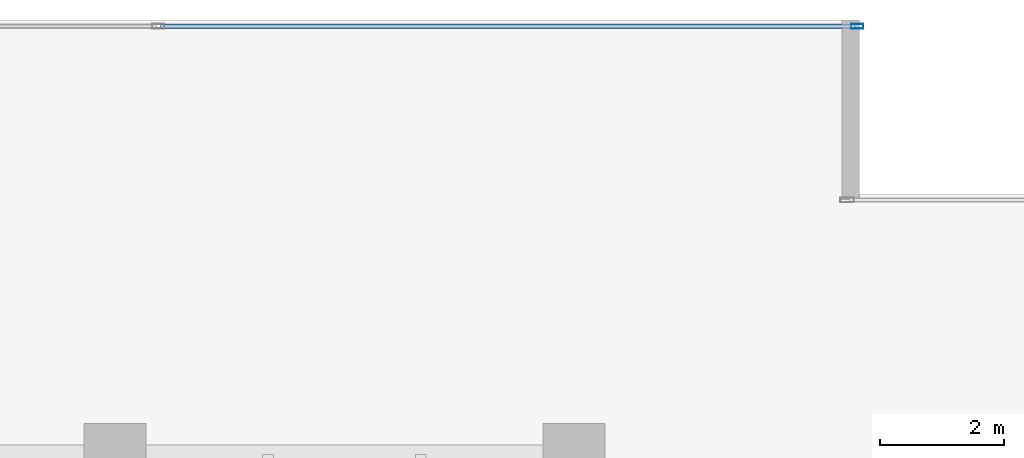
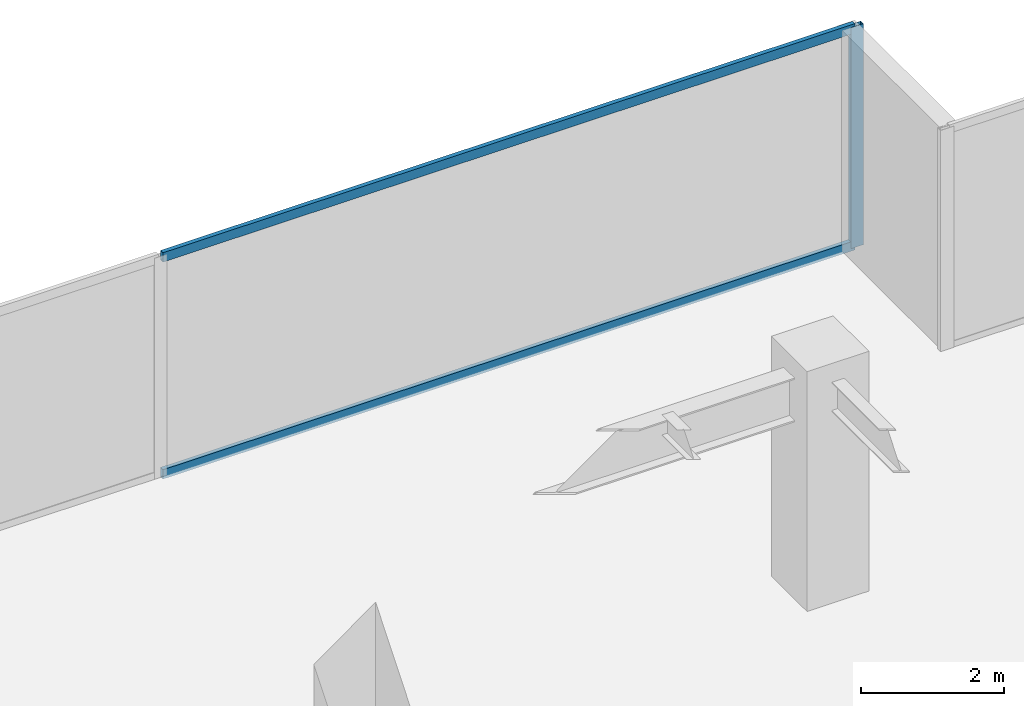
# One storey, part 27 of 35: 3 members, 1 element without a shape of its own.
"""IFC4 building model written with IfcOpenShell, lengths in metres."""

from ifc_helpers import new_model, si_unit, direction, frame, origin, origin_2d, place, context, subcontext, project, spatial, hollow_rectangle, extrude, source, transform, mapped, material, layer, layer_set, material_profile, profile_set, type_object, type_shapes, element, aggregate, save


model = new_model("IFC4")

# Units and contexts
model_context = context("Model", 3, precision=1e-05, world=origin(), true_north=direction((0.0, 1.0)))
body_context = subcontext(model_context, "Body", "Model", "MODEL_VIEW")
ifc_project = project(units=[si_unit("LENGTHUNIT", "METRE"), si_unit("AREAUNIT", "SQUARE_METRE"), si_unit("VOLUMEUNIT", "CUBIC_METRE"), si_unit("PLANEANGLEUNIT", "RADIAN"), si_unit("MASSUNIT", "GRAM", prefix="KILO")], contexts=[model_context])

# Site, building, storey
site_placement = place(None, origin())
site = spatial("IfcSite", under=ifc_project, at=site_placement, CompositionType="ELEMENT")
building_placement = place(site_placement, origin())
building = spatial("IfcBuilding", under=site, at=building_placement, Name="Haelvirn Gate Laboratories", CompositionType="ELEMENT")
storey_placement = place(building_placement, frame((0.0, 0.0, 90.800048828125)))
storey = spatial("IfcBuildingStorey", under=building, at=storey_placement, Name="L22", CompositionType="ELEMENT", Elevation=90.800048828125)

# Curtain wall, members
ifc_material_1 = material(Name="Anodised bronze unitised aluminium & triple low-E glass", Category="aluminium")
ifc_layer = layer(ifc_material_1, 0.18408203125, Name="CW-SYS-2")
ifc_layer_set = layer_set([ifc_layer], Name="Anodised bronze unitised aluminium & triple low-E glass")
curtain_wall_type = type_object("IfcCurtainWallType", Name="CW-SYS-2", PredefinedType="NOTDEFINED", material=ifc_layer_set)
curtain_wall_placement = place(storey_placement, origin())
curtain_wall = element("IfcCurtainWall", 1, at=curtain_wall_placement, inside=storey, type_object=curtain_wall_type, Name="L22 Unitised Curtain Wall CW-L22-P0-E10-1", PredefinedType="NOTDEFINED")
ifc_material_2 = material(Name="Extruded aluminium 6063-T6 (anodised bronze)", Category="aluminium")
ifc_material_profile_1 = material_profile(ifc_material_2, hollow_rectangle(XDim=0.074951171875, YDim=0.199951171875, WallThickness=0.0048828125, at=origin_2d()), Name="CWM-200x75x5")
ifc_profile_set_1 = profile_set([ifc_material_profile_1], Name="Extruded aluminium 6063-T6 (anodised bronze)")
member_type_1 = type_object("IfcMemberType", Name="CWM-T200", PredefinedType="MULLION", material=ifc_profile_set_1)
shared_shape_1 = source(origin(), body_context, "Body", "SweptSolid", [
    extrude(hollow_rectangle(XDim=0.074951171875, YDim=0.199951171875, WallThickness=0.0048828125, at=origin_2d()), origin(), (0.0, 0.0, 1.0), 3.780029296875),
])
type_shapes(member_type_1, [shared_shape_1])
member_1_placement = place(storey_placement, frame((71.96240234375, 48.5, 0.0), z_axis=(0.0, 0.0, 1.0), x_axis=(0.0, 1.0, 0.0)))
member_1 = element("IfcMember", 2, at=member_1_placement, type_object=member_type_1, Name="CW2 mullion 3", PredefinedType="MULLION", context=body_context, shape_type="MappedRepresentation", body=[
    mapped(shared_shape_1, transform((0.0, 0.0, 0.0), scale=1.0)),
])
ifc_material_profile_2 = material_profile(ifc_material_2, hollow_rectangle(XDim=0.070068359375, YDim=0.159912109375, WallThickness=0.0048828125, at=origin_2d()), Name="CWT-160x70x5")
ifc_profile_set_2 = profile_set([ifc_material_profile_2], Name="Extruded aluminium 6063-T6 (anodised bronze)")
member_type_2 = type_object("IfcMemberType", Name="CWT-T160", PredefinedType="USERDEFINED", material=ifc_profile_set_2)
shared_shape_2 = source(origin(), body_context, "Body", "SweptSolid", [
    extrude(hollow_rectangle(XDim=0.070068359375, YDim=0.159912109375, WallThickness=0.0048828125, at=origin_2d()), origin(), (0.0, 0.0, 1.0), 11.1875),
])
type_shapes(member_type_2, [shared_shape_2])
member_2_placement = place(storey_placement, frame((60.737548828125, 48.5, 0.034912109375), z_axis=(1.0, 0.0, 0.0), x_axis=(0.0, 1.0, 0.0)))
member_2 = element("IfcMember", 3, at=member_2_placement, type_object=member_type_2, Name="CW2 transom 2.1", ObjectType="TRANSOM", PredefinedType="USERDEFINED", context=body_context, shape_type="MappedRepresentation", body=[
    mapped(shared_shape_2, transform((0.0, 0.0, 0.0), scale=1.0)),
])
member_3_placement = place(storey_placement, frame((60.737548828125, 48.5, 3.744873046875), z_axis=(1.0, 0.0, 0.0), x_axis=(0.0, 1.0, 0.0)))
member_3 = element("IfcMember", 4, at=member_3_placement, type_object=member_type_2, Name="CW2 transom 2.2", ObjectType="TRANSOM", PredefinedType="USERDEFINED", context=body_context, shape_type="MappedRepresentation", body=[
    mapped(shared_shape_2, transform((0.0, 0.0, 0.0), scale=1.0)),
])
aggregate(curtain_wall, [member_1, member_2, member_3])

save(model, "model.ifc")
